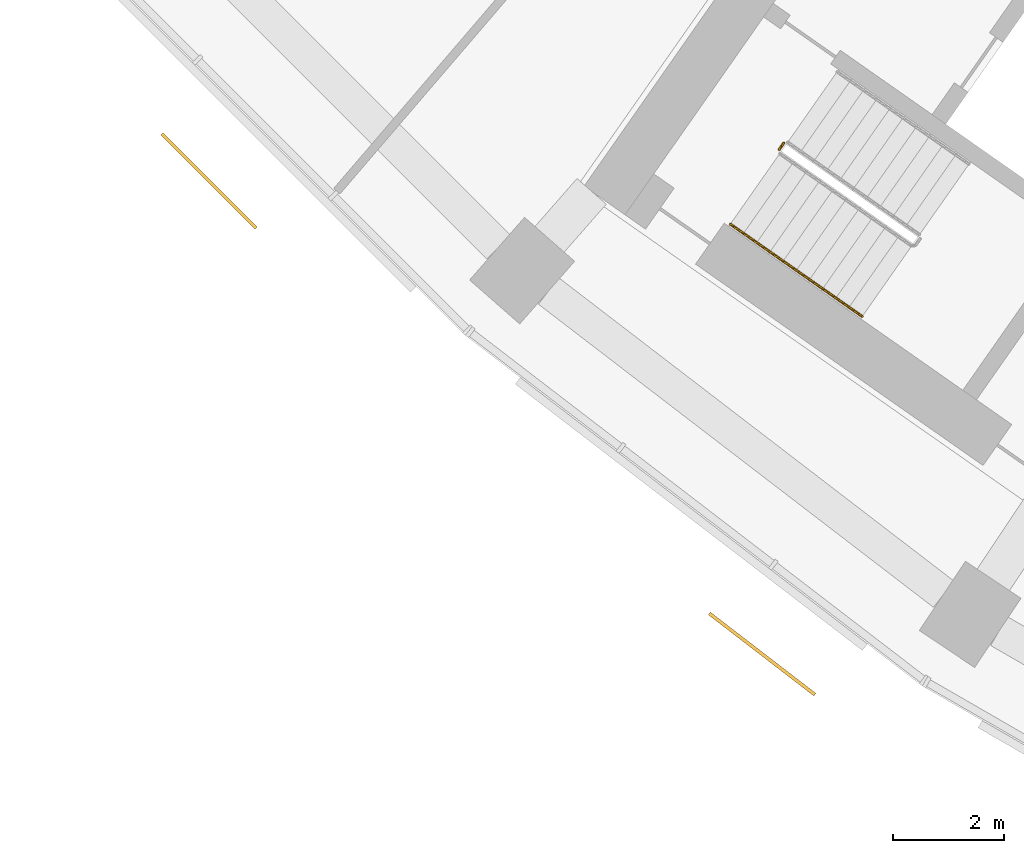
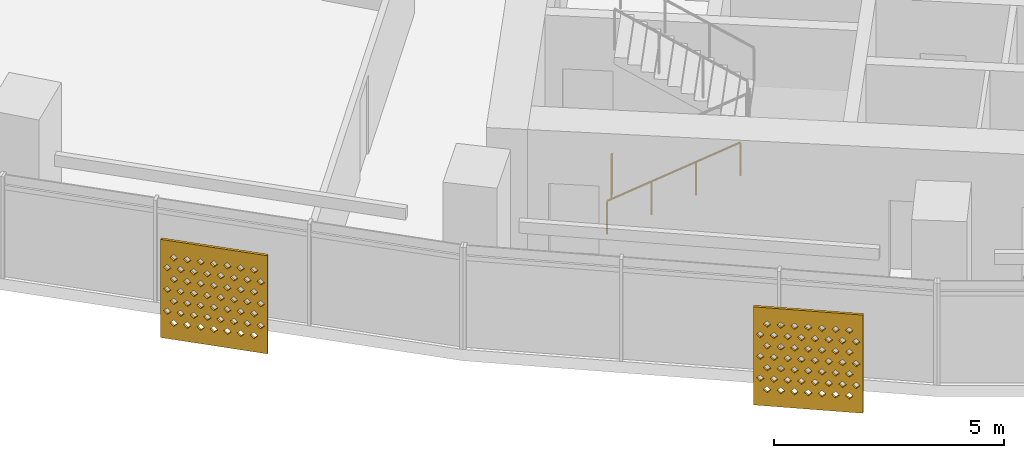
# One storey, part 24 of 29: 2 railings, 2 shading devices.
"""IFC4 building model written with IfcOpenShell, lengths in metres."""

from ifc_helpers import new_model, si_unit, direction, frame, origin, origin_2d, place, context, subcontext, project, spatial, polyline, circle, outline, extrude, material, material_profile, profile_set, type_object, element, save


model = new_model("IFC4")

# Units and contexts
model_context = context("Model", 3, precision=1e-05, world=origin(), true_north=direction((0.0, 1.0)))
body_context = subcontext(model_context, "Body", "Model", "MODEL_VIEW")
ifc_project = project(units=[si_unit("LENGTHUNIT", "METRE"), si_unit("AREAUNIT", "SQUARE_METRE"), si_unit("VOLUMEUNIT", "CUBIC_METRE"), si_unit("PLANEANGLEUNIT", "RADIAN"), si_unit("MASSUNIT", "GRAM", prefix="KILO")], contexts=[model_context])

# Site, building, storey
site_placement = place(None, origin())
site = spatial("IfcSite", under=ifc_project, at=site_placement, CompositionType="ELEMENT")
building_placement = place(site_placement, origin())
building = spatial("IfcBuilding", under=site, at=building_placement, Name="Qamariyya Broadcast Tower", CompositionType="ELEMENT")
storey_placement = place(building_placement, frame((0.0, 0.0, 129.10009765625)))
storey = spatial("IfcBuildingStorey", under=building, at=storey_placement, Name="L29", CompositionType="ELEMENT", Elevation=129.10009765625)

# Shading devices
ifc_material_1 = material(Name="Perforated glazed terracotta", Category="masonry")
ifc_material_profile = material_profile(ifc_material_1, outline(polyline([(-1.199951171875, -1.300048828125), (1.199951171875, -1.300048828125), (1.199951171875, 1.300048828125), (-1.199951171875, 1.300048828125), (-1.199951171875, -1.300048828125)]), holes=[polyline([(-0.81494140625, -0.86669921875), (-0.89990234375, -0.78173828125), (-0.985107421875, -0.86669921875), (-0.89990234375, -0.95166015625), (-0.81494140625, -0.86669921875)]), polyline([(-0.514892578125, -0.86669921875), (-0.60009765625, -0.78173828125), (-0.68505859375, -0.86669921875), (-0.60009765625, -0.95166015625), (-0.514892578125, -0.86669921875)]), polyline([(-0.215087890625, -0.86669921875), (-0.300048828125, -0.78173828125), (-0.385009765625, -0.86669921875), (-0.300048828125, -0.95166015625), (-0.215087890625, -0.86669921875)]), polyline([(0.0849609375, -0.86669921875), (0.0, -0.78173828125), (-0.0849609375, -0.86669921875), (0.0, -0.95166015625), (0.0849609375, -0.86669921875)]), polyline([(0.385009765625, -0.86669921875), (0.300048828125, -0.78173828125), (0.215087890625, -0.86669921875), (0.300048828125, -0.95166015625), (0.385009765625, -0.86669921875)]), polyline([(0.68505859375, -0.86669921875), (0.60009765625, -0.78173828125), (0.514892578125, -0.86669921875), (0.60009765625, -0.95166015625), (0.68505859375, -0.86669921875)]), polyline([(0.985107421875, -0.86669921875), (0.89990234375, -0.78173828125), (0.81494140625, -0.86669921875), (0.89990234375, -0.95166015625), (0.985107421875, -0.86669921875)]), polyline([(-0.965087890625, -0.577880859375), (-1.050048828125, -0.49267578125), (-1.135009765625, -0.577880859375), (-1.050048828125, -0.662841796875), (-0.965087890625, -0.577880859375)]), polyline([(-0.6650390625, -0.577880859375), (-0.75, -0.49267578125), (-0.8349609375, -0.577880859375), (-0.75, -0.662841796875), (-0.6650390625, -0.577880859375)]), polyline([(-0.364990234375, -0.577880859375), (-0.449951171875, -0.49267578125), (-0.534912109375, -0.577880859375), (-0.449951171875, -0.662841796875), (-0.364990234375, -0.577880859375)]), polyline([(-0.06494140625, -0.577880859375), (-0.14990234375, -0.49267578125), (-0.235107421875, -0.577880859375), (-0.14990234375, -0.662841796875), (-0.06494140625, -0.577880859375)]), polyline([(0.235107421875, -0.577880859375), (0.14990234375, -0.49267578125), (0.06494140625, -0.577880859375), (0.14990234375, -0.662841796875), (0.235107421875, -0.577880859375)]), polyline([(0.534912109375, -0.577880859375), (0.449951171875, -0.49267578125), (0.364990234375, -0.577880859375), (0.449951171875, -0.662841796875), (0.534912109375, -0.577880859375)]), polyline([(0.8349609375, -0.577880859375), (0.75, -0.49267578125), (0.6650390625, -0.577880859375), (0.75, -0.662841796875), (0.8349609375, -0.577880859375)]), polyline([(1.135009765625, -0.577880859375), (1.050048828125, -0.49267578125), (0.965087890625, -0.577880859375), (1.050048828125, -0.662841796875), (1.135009765625, -0.577880859375)]), polyline([(-0.81494140625, -0.288818359375), (-0.89990234375, -0.203857421875), (-0.985107421875, -0.288818359375), (-0.89990234375, -0.373779296875), (-0.81494140625, -0.288818359375)]), polyline([(-0.514892578125, -0.288818359375), (-0.60009765625, -0.203857421875), (-0.68505859375, -0.288818359375), (-0.60009765625, -0.373779296875), (-0.514892578125, -0.288818359375)]), polyline([(-0.215087890625, -0.288818359375), (-0.300048828125, -0.203857421875), (-0.385009765625, -0.288818359375), (-0.300048828125, -0.373779296875), (-0.215087890625, -0.288818359375)]), polyline([(0.0849609375, -0.288818359375), (0.0, -0.203857421875), (-0.0849609375, -0.288818359375), (0.0, -0.373779296875), (0.0849609375, -0.288818359375)]), polyline([(0.385009765625, -0.288818359375), (0.300048828125, -0.203857421875), (0.215087890625, -0.288818359375), (0.300048828125, -0.373779296875), (0.385009765625, -0.288818359375)]), polyline([(0.68505859375, -0.288818359375), (0.60009765625, -0.203857421875), (0.514892578125, -0.288818359375), (0.60009765625, -0.373779296875), (0.68505859375, -0.288818359375)]), polyline([(0.985107421875, -0.288818359375), (0.89990234375, -0.203857421875), (0.81494140625, -0.288818359375), (0.89990234375, -0.373779296875), (0.985107421875, -0.288818359375)]), polyline([(-0.965087890625, 0.0), (-1.050048828125, 0.0849609375), (-1.135009765625, 0.0), (-1.050048828125, -0.0849609375), (-0.965087890625, 0.0)]), polyline([(-0.6650390625, 0.0), (-0.75, 0.0849609375), (-0.8349609375, 0.0), (-0.75, -0.0849609375), (-0.6650390625, 0.0)]), polyline([(-0.364990234375, 0.0), (-0.449951171875, 0.0849609375), (-0.534912109375, 0.0), (-0.449951171875, -0.0849609375), (-0.364990234375, 0.0)]), polyline([(-0.06494140625, 0.0), (-0.14990234375, 0.0849609375), (-0.235107421875, 0.0), (-0.14990234375, -0.0849609375), (-0.06494140625, 0.0)]), polyline([(0.235107421875, 0.0), (0.14990234375, 0.0849609375), (0.06494140625, 0.0), (0.14990234375, -0.0849609375), (0.235107421875, 0.0)]), polyline([(0.534912109375, 0.0), (0.449951171875, 0.0849609375), (0.364990234375, 0.0), (0.449951171875, -0.0849609375), (0.534912109375, 0.0)]), polyline([(0.8349609375, 0.0), (0.75, 0.0849609375), (0.6650390625, 0.0), (0.75, -0.0849609375), (0.8349609375, 0.0)]), polyline([(1.135009765625, 0.0), (1.050048828125, 0.0849609375), (0.965087890625, 0.0), (1.050048828125, -0.0849609375), (1.135009765625, 0.0)]), polyline([(-0.81494140625, 0.288818359375), (-0.89990234375, 0.373779296875), (-0.985107421875, 0.288818359375), (-0.89990234375, 0.203857421875), (-0.81494140625, 0.288818359375)]), polyline([(-0.514892578125, 0.288818359375), (-0.60009765625, 0.373779296875), (-0.68505859375, 0.288818359375), (-0.60009765625, 0.203857421875), (-0.514892578125, 0.288818359375)]), polyline([(-0.215087890625, 0.288818359375), (-0.300048828125, 0.373779296875), (-0.385009765625, 0.288818359375), (-0.300048828125, 0.203857421875), (-0.215087890625, 0.288818359375)]), polyline([(0.0849609375, 0.288818359375), (0.0, 0.373779296875), (-0.0849609375, 0.288818359375), (0.0, 0.203857421875), (0.0849609375, 0.288818359375)]), polyline([(0.385009765625, 0.288818359375), (0.300048828125, 0.373779296875), (0.215087890625, 0.288818359375), (0.300048828125, 0.203857421875), (0.385009765625, 0.288818359375)]), polyline([(0.68505859375, 0.288818359375), (0.60009765625, 0.373779296875), (0.514892578125, 0.288818359375), (0.60009765625, 0.203857421875), (0.68505859375, 0.288818359375)]), polyline([(0.985107421875, 0.288818359375), (0.89990234375, 0.373779296875), (0.81494140625, 0.288818359375), (0.89990234375, 0.203857421875), (0.985107421875, 0.288818359375)]), polyline([(-0.965087890625, 0.577880859375), (-1.050048828125, 0.662841796875), (-1.135009765625, 0.577880859375), (-1.050048828125, 0.49267578125), (-0.965087890625, 0.577880859375)]), polyline([(-0.6650390625, 0.577880859375), (-0.75, 0.662841796875), (-0.8349609375, 0.577880859375), (-0.75, 0.49267578125), (-0.6650390625, 0.577880859375)]), polyline([(-0.364990234375, 0.577880859375), (-0.449951171875, 0.662841796875), (-0.534912109375, 0.577880859375), (-0.449951171875, 0.49267578125), (-0.364990234375, 0.577880859375)]), polyline([(-0.06494140625, 0.577880859375), (-0.14990234375, 0.662841796875), (-0.235107421875, 0.577880859375), (-0.14990234375, 0.49267578125), (-0.06494140625, 0.577880859375)]), polyline([(0.235107421875, 0.577880859375), (0.14990234375, 0.662841796875), (0.06494140625, 0.577880859375), (0.14990234375, 0.49267578125), (0.235107421875, 0.577880859375)]), polyline([(0.534912109375, 0.577880859375), (0.449951171875, 0.662841796875), (0.364990234375, 0.577880859375), (0.449951171875, 0.49267578125), (0.534912109375, 0.577880859375)]), polyline([(0.8349609375, 0.577880859375), (0.75, 0.662841796875), (0.6650390625, 0.577880859375), (0.75, 0.49267578125), (0.8349609375, 0.577880859375)]), polyline([(1.135009765625, 0.577880859375), (1.050048828125, 0.662841796875), (0.965087890625, 0.577880859375), (1.050048828125, 0.49267578125), (1.135009765625, 0.577880859375)]), polyline([(-0.81494140625, 0.86669921875), (-0.89990234375, 0.95166015625), (-0.985107421875, 0.86669921875), (-0.89990234375, 0.78173828125), (-0.81494140625, 0.86669921875)]), polyline([(-0.514892578125, 0.86669921875), (-0.60009765625, 0.95166015625), (-0.68505859375, 0.86669921875), (-0.60009765625, 0.78173828125), (-0.514892578125, 0.86669921875)]), polyline([(-0.215087890625, 0.86669921875), (-0.300048828125, 0.95166015625), (-0.385009765625, 0.86669921875), (-0.300048828125, 0.78173828125), (-0.215087890625, 0.86669921875)]), polyline([(0.0849609375, 0.86669921875), (0.0, 0.95166015625), (-0.0849609375, 0.86669921875), (0.0, 0.78173828125), (0.0849609375, 0.86669921875)]), polyline([(0.385009765625, 0.86669921875), (0.300048828125, 0.95166015625), (0.215087890625, 0.86669921875), (0.300048828125, 0.78173828125), (0.385009765625, 0.86669921875)]), polyline([(0.68505859375, 0.86669921875), (0.60009765625, 0.95166015625), (0.514892578125, 0.86669921875), (0.60009765625, 0.78173828125), (0.68505859375, 0.86669921875)]), polyline([(0.985107421875, 0.86669921875), (0.89990234375, 0.95166015625), (0.81494140625, 0.86669921875), (0.89990234375, 0.78173828125), (0.985107421875, 0.86669921875)])]))
ifc_profile_set = profile_set([ifc_material_profile], Name="Perforated glazed terracotta")
shading_device_type = type_object("IfcShadingDeviceType", Name="Perforated terracotta screen 2400 x 2600", PredefinedType="USERDEFINED", material=ifc_profile_set)
shading_device_1_placement = place(storey_placement, frame((-56.884521484375, -56.818603515625, 1.349853515625), z_axis=(-0.707106781187, -0.707106781187, 0.0), x_axis=(0.707106781187, -0.707106781187, 0.0)))
element("IfcShadingDevice", 1, at=shading_device_1_placement, inside=storey, type_object=shading_device_type, Name="e-scr-L29-03-1", ObjectType="SCREEN", PredefinedType="USERDEFINED", context=body_context, shape_type="SweptSolid", body=[
    extrude(outline(polyline([(-1.199951171875, -1.300048828125), (1.199951171875, -1.300048828125), (1.199951171875, 1.300048828125), (-1.199951171875, 1.300048828125), (-1.199951171875, -1.300048828125)]), holes=[polyline([(-0.81494140625, -0.86669921875), (-0.89990234375, -0.78173828125), (-0.985107421875, -0.86669921875), (-0.89990234375, -0.95166015625), (-0.81494140625, -0.86669921875)]), polyline([(-0.514892578125, -0.86669921875), (-0.60009765625, -0.78173828125), (-0.68505859375, -0.86669921875), (-0.60009765625, -0.95166015625), (-0.514892578125, -0.86669921875)]), polyline([(-0.215087890625, -0.86669921875), (-0.300048828125, -0.78173828125), (-0.385009765625, -0.86669921875), (-0.300048828125, -0.95166015625), (-0.215087890625, -0.86669921875)]), polyline([(0.0849609375, -0.86669921875), (0.0, -0.78173828125), (-0.0849609375, -0.86669921875), (0.0, -0.95166015625), (0.0849609375, -0.86669921875)]), polyline([(0.385009765625, -0.86669921875), (0.300048828125, -0.78173828125), (0.215087890625, -0.86669921875), (0.300048828125, -0.95166015625), (0.385009765625, -0.86669921875)]), polyline([(0.68505859375, -0.86669921875), (0.60009765625, -0.78173828125), (0.514892578125, -0.86669921875), (0.60009765625, -0.95166015625), (0.68505859375, -0.86669921875)]), polyline([(0.985107421875, -0.86669921875), (0.89990234375, -0.78173828125), (0.81494140625, -0.86669921875), (0.89990234375, -0.95166015625), (0.985107421875, -0.86669921875)]), polyline([(-0.965087890625, -0.577880859375), (-1.050048828125, -0.49267578125), (-1.135009765625, -0.577880859375), (-1.050048828125, -0.662841796875), (-0.965087890625, -0.577880859375)]), polyline([(-0.6650390625, -0.577880859375), (-0.75, -0.49267578125), (-0.8349609375, -0.577880859375), (-0.75, -0.662841796875), (-0.6650390625, -0.577880859375)]), polyline([(-0.364990234375, -0.577880859375), (-0.449951171875, -0.49267578125), (-0.534912109375, -0.577880859375), (-0.449951171875, -0.662841796875), (-0.364990234375, -0.577880859375)]), polyline([(-0.06494140625, -0.577880859375), (-0.14990234375, -0.49267578125), (-0.235107421875, -0.577880859375), (-0.14990234375, -0.662841796875), (-0.06494140625, -0.577880859375)]), polyline([(0.235107421875, -0.577880859375), (0.14990234375, -0.49267578125), (0.06494140625, -0.577880859375), (0.14990234375, -0.662841796875), (0.235107421875, -0.577880859375)]), polyline([(0.534912109375, -0.577880859375), (0.449951171875, -0.49267578125), (0.364990234375, -0.577880859375), (0.449951171875, -0.662841796875), (0.534912109375, -0.577880859375)]), polyline([(0.8349609375, -0.577880859375), (0.75, -0.49267578125), (0.6650390625, -0.577880859375), (0.75, -0.662841796875), (0.8349609375, -0.577880859375)]), polyline([(1.135009765625, -0.577880859375), (1.050048828125, -0.49267578125), (0.965087890625, -0.577880859375), (1.050048828125, -0.662841796875), (1.135009765625, -0.577880859375)]), polyline([(-0.81494140625, -0.288818359375), (-0.89990234375, -0.203857421875), (-0.985107421875, -0.288818359375), (-0.89990234375, -0.373779296875), (-0.81494140625, -0.288818359375)]), polyline([(-0.514892578125, -0.288818359375), (-0.60009765625, -0.203857421875), (-0.68505859375, -0.288818359375), (-0.60009765625, -0.373779296875), (-0.514892578125, -0.288818359375)]), polyline([(-0.215087890625, -0.288818359375), (-0.300048828125, -0.203857421875), (-0.385009765625, -0.288818359375), (-0.300048828125, -0.373779296875), (-0.215087890625, -0.288818359375)]), polyline([(0.0849609375, -0.288818359375), (0.0, -0.203857421875), (-0.0849609375, -0.288818359375), (0.0, -0.373779296875), (0.0849609375, -0.288818359375)]), polyline([(0.385009765625, -0.288818359375), (0.300048828125, -0.203857421875), (0.215087890625, -0.288818359375), (0.300048828125, -0.373779296875), (0.385009765625, -0.288818359375)]), polyline([(0.68505859375, -0.288818359375), (0.60009765625, -0.203857421875), (0.514892578125, -0.288818359375), (0.60009765625, -0.373779296875), (0.68505859375, -0.288818359375)]), polyline([(0.985107421875, -0.288818359375), (0.89990234375, -0.203857421875), (0.81494140625, -0.288818359375), (0.89990234375, -0.373779296875), (0.985107421875, -0.288818359375)]), polyline([(-0.965087890625, 0.0), (-1.050048828125, 0.0849609375), (-1.135009765625, 0.0), (-1.050048828125, -0.0849609375), (-0.965087890625, 0.0)]), polyline([(-0.6650390625, 0.0), (-0.75, 0.0849609375), (-0.8349609375, 0.0), (-0.75, -0.0849609375), (-0.6650390625, 0.0)]), polyline([(-0.364990234375, 0.0), (-0.449951171875, 0.0849609375), (-0.534912109375, 0.0), (-0.449951171875, -0.0849609375), (-0.364990234375, 0.0)]), polyline([(-0.06494140625, 0.0), (-0.14990234375, 0.0849609375), (-0.235107421875, 0.0), (-0.14990234375, -0.0849609375), (-0.06494140625, 0.0)]), polyline([(0.235107421875, 0.0), (0.14990234375, 0.0849609375), (0.06494140625, 0.0), (0.14990234375, -0.0849609375), (0.235107421875, 0.0)]), polyline([(0.534912109375, 0.0), (0.449951171875, 0.0849609375), (0.364990234375, 0.0), (0.449951171875, -0.0849609375), (0.534912109375, 0.0)]), polyline([(0.8349609375, 0.0), (0.75, 0.0849609375), (0.6650390625, 0.0), (0.75, -0.0849609375), (0.8349609375, 0.0)]), polyline([(1.135009765625, 0.0), (1.050048828125, 0.0849609375), (0.965087890625, 0.0), (1.050048828125, -0.0849609375), (1.135009765625, 0.0)]), polyline([(-0.81494140625, 0.288818359375), (-0.89990234375, 0.373779296875), (-0.985107421875, 0.288818359375), (-0.89990234375, 0.203857421875), (-0.81494140625, 0.288818359375)]), polyline([(-0.514892578125, 0.288818359375), (-0.60009765625, 0.373779296875), (-0.68505859375, 0.288818359375), (-0.60009765625, 0.203857421875), (-0.514892578125, 0.288818359375)]), polyline([(-0.215087890625, 0.288818359375), (-0.300048828125, 0.373779296875), (-0.385009765625, 0.288818359375), (-0.300048828125, 0.203857421875), (-0.215087890625, 0.288818359375)]), polyline([(0.0849609375, 0.288818359375), (0.0, 0.373779296875), (-0.0849609375, 0.288818359375), (0.0, 0.203857421875), (0.0849609375, 0.288818359375)]), polyline([(0.385009765625, 0.288818359375), (0.300048828125, 0.373779296875), (0.215087890625, 0.288818359375), (0.300048828125, 0.203857421875), (0.385009765625, 0.288818359375)]), polyline([(0.68505859375, 0.288818359375), (0.60009765625, 0.373779296875), (0.514892578125, 0.288818359375), (0.60009765625, 0.203857421875), (0.68505859375, 0.288818359375)]), polyline([(0.985107421875, 0.288818359375), (0.89990234375, 0.373779296875), (0.81494140625, 0.288818359375), (0.89990234375, 0.203857421875), (0.985107421875, 0.288818359375)]), polyline([(-0.965087890625, 0.577880859375), (-1.050048828125, 0.662841796875), (-1.135009765625, 0.577880859375), (-1.050048828125, 0.49267578125), (-0.965087890625, 0.577880859375)]), polyline([(-0.6650390625, 0.577880859375), (-0.75, 0.662841796875), (-0.8349609375, 0.577880859375), (-0.75, 0.49267578125), (-0.6650390625, 0.577880859375)]), polyline([(-0.364990234375, 0.577880859375), (-0.449951171875, 0.662841796875), (-0.534912109375, 0.577880859375), (-0.449951171875, 0.49267578125), (-0.364990234375, 0.577880859375)]), polyline([(-0.06494140625, 0.577880859375), (-0.14990234375, 0.662841796875), (-0.235107421875, 0.577880859375), (-0.14990234375, 0.49267578125), (-0.06494140625, 0.577880859375)]), polyline([(0.235107421875, 0.577880859375), (0.14990234375, 0.662841796875), (0.06494140625, 0.577880859375), (0.14990234375, 0.49267578125), (0.235107421875, 0.577880859375)]), polyline([(0.534912109375, 0.577880859375), (0.449951171875, 0.662841796875), (0.364990234375, 0.577880859375), (0.449951171875, 0.49267578125), (0.534912109375, 0.577880859375)]), polyline([(0.8349609375, 0.577880859375), (0.75, 0.662841796875), (0.6650390625, 0.577880859375), (0.75, 0.49267578125), (0.8349609375, 0.577880859375)]), polyline([(1.135009765625, 0.577880859375), (1.050048828125, 0.662841796875), (0.965087890625, 0.577880859375), (1.050048828125, 0.49267578125), (1.135009765625, 0.577880859375)]), polyline([(-0.81494140625, 0.86669921875), (-0.89990234375, 0.95166015625), (-0.985107421875, 0.86669921875), (-0.89990234375, 0.78173828125), (-0.81494140625, 0.86669921875)]), polyline([(-0.514892578125, 0.86669921875), (-0.60009765625, 0.95166015625), (-0.68505859375, 0.86669921875), (-0.60009765625, 0.78173828125), (-0.514892578125, 0.86669921875)]), polyline([(-0.215087890625, 0.86669921875), (-0.300048828125, 0.95166015625), (-0.385009765625, 0.86669921875), (-0.300048828125, 0.78173828125), (-0.215087890625, 0.86669921875)]), polyline([(0.0849609375, 0.86669921875), (0.0, 0.95166015625), (-0.0849609375, 0.86669921875), (0.0, 0.78173828125), (0.0849609375, 0.86669921875)]), polyline([(0.385009765625, 0.86669921875), (0.300048828125, 0.95166015625), (0.215087890625, 0.86669921875), (0.300048828125, 0.78173828125), (0.385009765625, 0.86669921875)]), polyline([(0.68505859375, 0.86669921875), (0.60009765625, 0.95166015625), (0.514892578125, 0.86669921875), (0.60009765625, 0.78173828125), (0.68505859375, 0.86669921875)]), polyline([(0.985107421875, 0.86669921875), (0.89990234375, 0.95166015625), (0.81494140625, 0.86669921875), (0.89990234375, 0.78173828125), (0.985107421875, 0.86669921875)])]), origin(), (0.0, 0.0, 1.0), 0.06005859375),
])
shading_device_2_placement = place(storey_placement, frame((-46.924072265625, -65.3359375, 1.349853515625), z_axis=(-0.60971076085, -0.792623989105, 0.0), x_axis=(0.792623989105, -0.60971076085, 0.0)))
element("IfcShadingDevice", 2, at=shading_device_2_placement, inside=storey, type_object=shading_device_type, Name="e-scr-L29-04-2", ObjectType="SCREEN", PredefinedType="USERDEFINED", context=body_context, shape_type="SweptSolid", body=[
    extrude(outline(polyline([(-1.199951171875, -1.300048828125), (1.199951171875, -1.300048828125), (1.199951171875, 1.300048828125), (-1.199951171875, 1.300048828125), (-1.199951171875, -1.300048828125)]), holes=[polyline([(-0.81494140625, -0.86669921875), (-0.89990234375, -0.78173828125), (-0.985107421875, -0.86669921875), (-0.89990234375, -0.95166015625), (-0.81494140625, -0.86669921875)]), polyline([(-0.514892578125, -0.86669921875), (-0.60009765625, -0.78173828125), (-0.68505859375, -0.86669921875), (-0.60009765625, -0.95166015625), (-0.514892578125, -0.86669921875)]), polyline([(-0.215087890625, -0.86669921875), (-0.300048828125, -0.78173828125), (-0.385009765625, -0.86669921875), (-0.300048828125, -0.95166015625), (-0.215087890625, -0.86669921875)]), polyline([(0.0849609375, -0.86669921875), (0.0, -0.78173828125), (-0.0849609375, -0.86669921875), (0.0, -0.95166015625), (0.0849609375, -0.86669921875)]), polyline([(0.385009765625, -0.86669921875), (0.300048828125, -0.78173828125), (0.215087890625, -0.86669921875), (0.300048828125, -0.95166015625), (0.385009765625, -0.86669921875)]), polyline([(0.68505859375, -0.86669921875), (0.60009765625, -0.78173828125), (0.514892578125, -0.86669921875), (0.60009765625, -0.95166015625), (0.68505859375, -0.86669921875)]), polyline([(0.985107421875, -0.86669921875), (0.89990234375, -0.78173828125), (0.81494140625, -0.86669921875), (0.89990234375, -0.95166015625), (0.985107421875, -0.86669921875)]), polyline([(-0.965087890625, -0.577880859375), (-1.050048828125, -0.49267578125), (-1.135009765625, -0.577880859375), (-1.050048828125, -0.662841796875), (-0.965087890625, -0.577880859375)]), polyline([(-0.6650390625, -0.577880859375), (-0.75, -0.49267578125), (-0.8349609375, -0.577880859375), (-0.75, -0.662841796875), (-0.6650390625, -0.577880859375)]), polyline([(-0.364990234375, -0.577880859375), (-0.449951171875, -0.49267578125), (-0.534912109375, -0.577880859375), (-0.449951171875, -0.662841796875), (-0.364990234375, -0.577880859375)]), polyline([(-0.06494140625, -0.577880859375), (-0.14990234375, -0.49267578125), (-0.235107421875, -0.577880859375), (-0.14990234375, -0.662841796875), (-0.06494140625, -0.577880859375)]), polyline([(0.235107421875, -0.577880859375), (0.14990234375, -0.49267578125), (0.06494140625, -0.577880859375), (0.14990234375, -0.662841796875), (0.235107421875, -0.577880859375)]), polyline([(0.534912109375, -0.577880859375), (0.449951171875, -0.49267578125), (0.364990234375, -0.577880859375), (0.449951171875, -0.662841796875), (0.534912109375, -0.577880859375)]), polyline([(0.8349609375, -0.577880859375), (0.75, -0.49267578125), (0.6650390625, -0.577880859375), (0.75, -0.662841796875), (0.8349609375, -0.577880859375)]), polyline([(1.135009765625, -0.577880859375), (1.050048828125, -0.49267578125), (0.965087890625, -0.577880859375), (1.050048828125, -0.662841796875), (1.135009765625, -0.577880859375)]), polyline([(-0.81494140625, -0.288818359375), (-0.89990234375, -0.203857421875), (-0.985107421875, -0.288818359375), (-0.89990234375, -0.373779296875), (-0.81494140625, -0.288818359375)]), polyline([(-0.514892578125, -0.288818359375), (-0.60009765625, -0.203857421875), (-0.68505859375, -0.288818359375), (-0.60009765625, -0.373779296875), (-0.514892578125, -0.288818359375)]), polyline([(-0.215087890625, -0.288818359375), (-0.300048828125, -0.203857421875), (-0.385009765625, -0.288818359375), (-0.300048828125, -0.373779296875), (-0.215087890625, -0.288818359375)]), polyline([(0.0849609375, -0.288818359375), (0.0, -0.203857421875), (-0.0849609375, -0.288818359375), (0.0, -0.373779296875), (0.0849609375, -0.288818359375)]), polyline([(0.385009765625, -0.288818359375), (0.300048828125, -0.203857421875), (0.215087890625, -0.288818359375), (0.300048828125, -0.373779296875), (0.385009765625, -0.288818359375)]), polyline([(0.68505859375, -0.288818359375), (0.60009765625, -0.203857421875), (0.514892578125, -0.288818359375), (0.60009765625, -0.373779296875), (0.68505859375, -0.288818359375)]), polyline([(0.985107421875, -0.288818359375), (0.89990234375, -0.203857421875), (0.81494140625, -0.288818359375), (0.89990234375, -0.373779296875), (0.985107421875, -0.288818359375)]), polyline([(-0.965087890625, 0.0), (-1.050048828125, 0.0849609375), (-1.135009765625, 0.0), (-1.050048828125, -0.0849609375), (-0.965087890625, 0.0)]), polyline([(-0.6650390625, 0.0), (-0.75, 0.0849609375), (-0.8349609375, 0.0), (-0.75, -0.0849609375), (-0.6650390625, 0.0)]), polyline([(-0.364990234375, 0.0), (-0.449951171875, 0.0849609375), (-0.534912109375, 0.0), (-0.449951171875, -0.0849609375), (-0.364990234375, 0.0)]), polyline([(-0.06494140625, 0.0), (-0.14990234375, 0.0849609375), (-0.235107421875, 0.0), (-0.14990234375, -0.0849609375), (-0.06494140625, 0.0)]), polyline([(0.235107421875, 0.0), (0.14990234375, 0.0849609375), (0.06494140625, 0.0), (0.14990234375, -0.0849609375), (0.235107421875, 0.0)]), polyline([(0.534912109375, 0.0), (0.449951171875, 0.0849609375), (0.364990234375, 0.0), (0.449951171875, -0.0849609375), (0.534912109375, 0.0)]), polyline([(0.8349609375, 0.0), (0.75, 0.0849609375), (0.6650390625, 0.0), (0.75, -0.0849609375), (0.8349609375, 0.0)]), polyline([(1.135009765625, 0.0), (1.050048828125, 0.0849609375), (0.965087890625, 0.0), (1.050048828125, -0.0849609375), (1.135009765625, 0.0)]), polyline([(-0.81494140625, 0.288818359375), (-0.89990234375, 0.373779296875), (-0.985107421875, 0.288818359375), (-0.89990234375, 0.203857421875), (-0.81494140625, 0.288818359375)]), polyline([(-0.514892578125, 0.288818359375), (-0.60009765625, 0.373779296875), (-0.68505859375, 0.288818359375), (-0.60009765625, 0.203857421875), (-0.514892578125, 0.288818359375)]), polyline([(-0.215087890625, 0.288818359375), (-0.300048828125, 0.373779296875), (-0.385009765625, 0.288818359375), (-0.300048828125, 0.203857421875), (-0.215087890625, 0.288818359375)]), polyline([(0.0849609375, 0.288818359375), (0.0, 0.373779296875), (-0.0849609375, 0.288818359375), (0.0, 0.203857421875), (0.0849609375, 0.288818359375)]), polyline([(0.385009765625, 0.288818359375), (0.300048828125, 0.373779296875), (0.215087890625, 0.288818359375), (0.300048828125, 0.203857421875), (0.385009765625, 0.288818359375)]), polyline([(0.68505859375, 0.288818359375), (0.60009765625, 0.373779296875), (0.514892578125, 0.288818359375), (0.60009765625, 0.203857421875), (0.68505859375, 0.288818359375)]), polyline([(0.985107421875, 0.288818359375), (0.89990234375, 0.373779296875), (0.81494140625, 0.288818359375), (0.89990234375, 0.203857421875), (0.985107421875, 0.288818359375)]), polyline([(-0.965087890625, 0.577880859375), (-1.050048828125, 0.662841796875), (-1.135009765625, 0.577880859375), (-1.050048828125, 0.49267578125), (-0.965087890625, 0.577880859375)]), polyline([(-0.6650390625, 0.577880859375), (-0.75, 0.662841796875), (-0.8349609375, 0.577880859375), (-0.75, 0.49267578125), (-0.6650390625, 0.577880859375)]), polyline([(-0.364990234375, 0.577880859375), (-0.449951171875, 0.662841796875), (-0.534912109375, 0.577880859375), (-0.449951171875, 0.49267578125), (-0.364990234375, 0.577880859375)]), polyline([(-0.06494140625, 0.577880859375), (-0.14990234375, 0.662841796875), (-0.235107421875, 0.577880859375), (-0.14990234375, 0.49267578125), (-0.06494140625, 0.577880859375)]), polyline([(0.235107421875, 0.577880859375), (0.14990234375, 0.662841796875), (0.06494140625, 0.577880859375), (0.14990234375, 0.49267578125), (0.235107421875, 0.577880859375)]), polyline([(0.534912109375, 0.577880859375), (0.449951171875, 0.662841796875), (0.364990234375, 0.577880859375), (0.449951171875, 0.49267578125), (0.534912109375, 0.577880859375)]), polyline([(0.8349609375, 0.577880859375), (0.75, 0.662841796875), (0.6650390625, 0.577880859375), (0.75, 0.49267578125), (0.8349609375, 0.577880859375)]), polyline([(1.135009765625, 0.577880859375), (1.050048828125, 0.662841796875), (0.965087890625, 0.577880859375), (1.050048828125, 0.49267578125), (1.135009765625, 0.577880859375)]), polyline([(-0.81494140625, 0.86669921875), (-0.89990234375, 0.95166015625), (-0.985107421875, 0.86669921875), (-0.89990234375, 0.78173828125), (-0.81494140625, 0.86669921875)]), polyline([(-0.514892578125, 0.86669921875), (-0.60009765625, 0.95166015625), (-0.68505859375, 0.86669921875), (-0.60009765625, 0.78173828125), (-0.514892578125, 0.86669921875)]), polyline([(-0.215087890625, 0.86669921875), (-0.300048828125, 0.95166015625), (-0.385009765625, 0.86669921875), (-0.300048828125, 0.78173828125), (-0.215087890625, 0.86669921875)]), polyline([(0.0849609375, 0.86669921875), (0.0, 0.95166015625), (-0.0849609375, 0.86669921875), (0.0, 0.78173828125), (0.0849609375, 0.86669921875)]), polyline([(0.385009765625, 0.86669921875), (0.300048828125, 0.95166015625), (0.215087890625, 0.86669921875), (0.300048828125, 0.78173828125), (0.385009765625, 0.86669921875)]), polyline([(0.68505859375, 0.86669921875), (0.60009765625, 0.95166015625), (0.514892578125, 0.86669921875), (0.60009765625, 0.78173828125), (0.68505859375, 0.86669921875)]), polyline([(0.985107421875, 0.86669921875), (0.89990234375, 0.95166015625), (0.81494140625, 0.86669921875), (0.89990234375, 0.78173828125), (0.985107421875, 0.86669921875)])]), origin(), (0.0, 0.0, 1.0), 0.06005859375),
])

# Railings
ifc_material_2 = material(Name="Painted steel", Category="steel")
railing_type_1 = type_object("IfcRailingType", Name="Stair guard", PredefinedType="GUARDRAIL", material=ifc_material_2)
railing_1_placement = place(storey_placement, frame((-46.63671875, -56.278076171875, 0.0)))
element("IfcRailing", 3, at=railing_1_placement, inside=storey, type_object=railing_type_1, Name="L29 ST-W1 stair guard 3", PredefinedType="GUARDRAIL", context=body_context, shape_type="SweptSolid", body=[
    extrude(circle(Radius=0.02392578125, at=origin_2d()), frame((0.0, 0.0, 1.076171875), z_axis=(0.574444878118, 0.818543268254, 0.0), x_axis=(-0.818543268254, 0.574444878118, 0.0)), (0.0, 0.0, 1.0), 0.150146484375),
    extrude(circle(Radius=0.02099609375, at=origin_2d()), origin(), (0.0, 0.0, 1.0), 1.052001953125),
    extrude(circle(Radius=0.02099609375, at=origin_2d()), frame((0.086181640625, 0.122802734375, 0.0)), (0.0, 0.0, 1.0), 1.052001953125),
])
ifc_material_3 = material(Name="Stainless steel", Category="steel")
railing_type_2 = type_object("IfcRailingType", Name="Stair handrail", PredefinedType="HANDRAIL", material=ifc_material_3)
railing_2_placement = place(storey_placement, frame((-47.513427734375, -57.617431640625, 0.172607421875)))
element("IfcRailing", 4, at=railing_2_placement, inside=storey, type_object=railing_type_2, Name="L29 ST-W1 stair handrail 1", PredefinedType="HANDRAIL", context=body_context, shape_type="SweptSolid", body=[
    extrude(circle(Radius=0.02392578125, at=origin_2d()), frame((0.0, 0.0, 0.8759765625), z_axis=(0.703770094002, -0.492783725636, 0.511734163933), x_axis=(0.573575343427, 0.819152809562, 0.0)), (0.0, 0.0, 1.0), 3.37548828125),
    extrude(circle(Radius=0.02099609375, at=origin_2d()), origin(), (0.0, 0.0, 1.0), 0.851806640625),
    extrude(circle(Radius=0.02099609375, at=origin_2d()), frame((0.791748046875, -0.554443359375, 0.57568359375)), (0.0, 0.0, 1.0), 0.851806640625),
    extrude(circle(Radius=0.02099609375, at=origin_2d()), frame((1.583740234375, -1.10888671875, 1.151611328125)), (0.0, 0.0, 1.0), 0.851806640625),
    extrude(circle(Radius=0.02099609375, at=origin_2d()), frame((2.37548828125, -1.663330078125, 1.727294921875)), (0.0, 0.0, 1.0), 0.851806640625),
])

save(model, "model.ifc")
